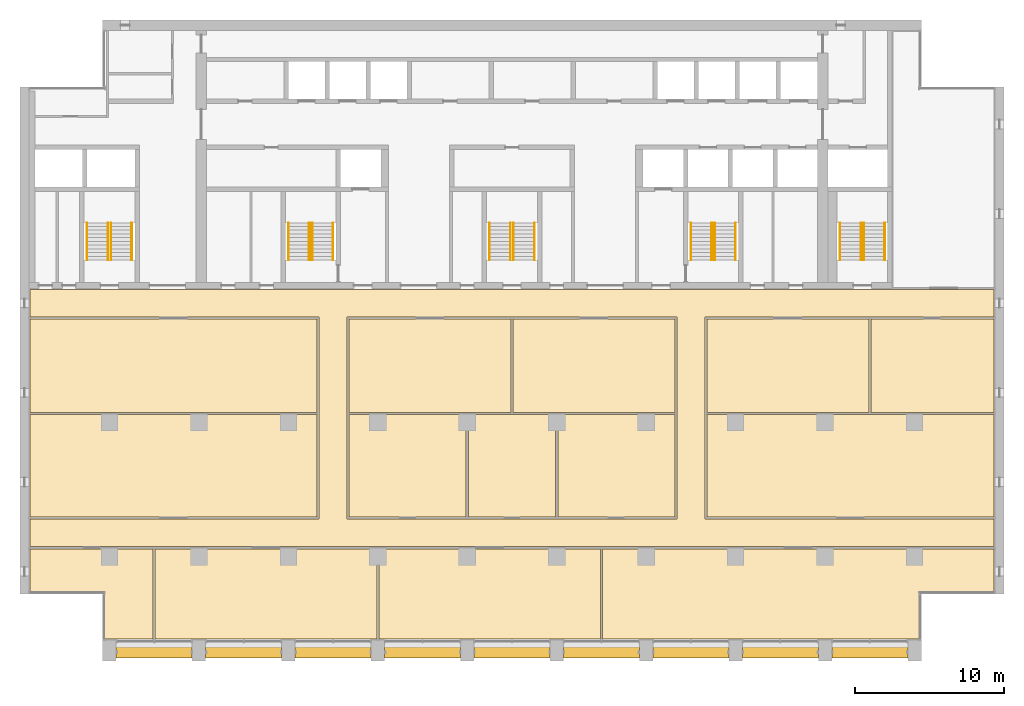
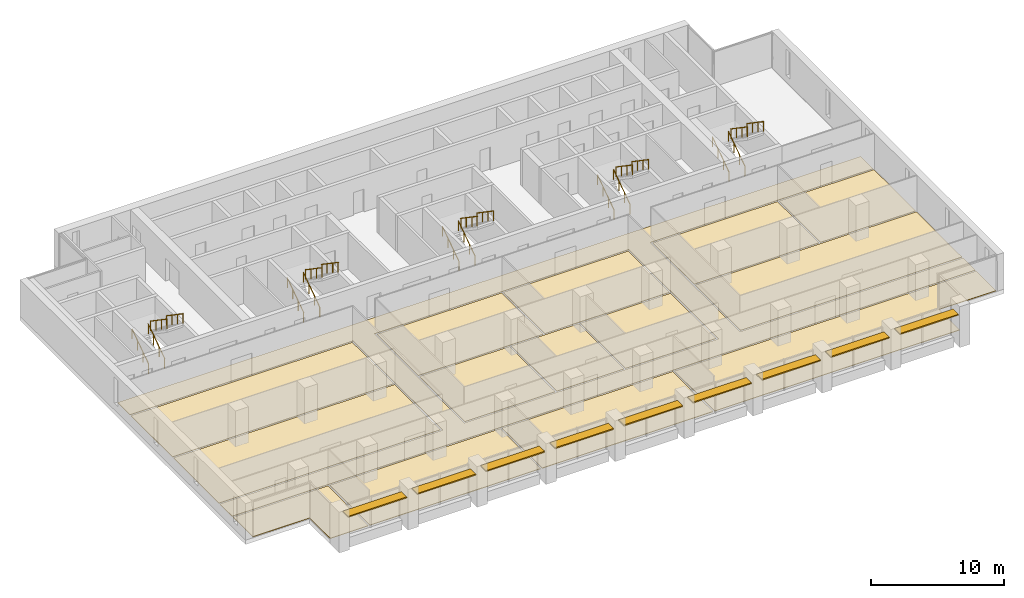
# One storey, part 16 of 17: 20 railings, 15 coverings, 9 shading devices, 5 elements without a shape of their own.
"""IFC4 building model written with IfcOpenShell, lengths in metres."""

from ifc_helpers import new_model, si_unit, direction, frame, origin, origin_2d, place, context, subcontext, project, spatial, polyline, rectangle, circle, outline, extrude, material, layer, layer_set, material_profile, profile_set, type_object, element, aggregate, save


model = new_model("IFC4")

# Units and contexts
model_context = context("Model", 3, precision=1e-05, world=origin(), true_north=direction((0.0, 1.0)))
body_context = subcontext(model_context, "Body", "Model", "MODEL_VIEW")
ifc_project = project(units=[si_unit("LENGTHUNIT", "METRE"), si_unit("AREAUNIT", "SQUARE_METRE"), si_unit("VOLUMEUNIT", "CUBIC_METRE"), si_unit("PLANEANGLEUNIT", "RADIAN"), si_unit("MASSUNIT", "GRAM", prefix="KILO")], contexts=[model_context])

# Site, building, storey
site_placement = place(None, origin())
site = spatial("IfcSite", under=ifc_project, at=site_placement, CompositionType="ELEMENT")
building_placement = place(site_placement, origin())
building = spatial("IfcBuilding", under=site, at=building_placement, Name="Calvaro Tower", CompositionType="ELEMENT")
storey_placement = place(building_placement, frame((0.0, 0.0, 185.5)))
storey = spatial("IfcBuildingStorey", under=building, at=storey_placement, Name="L46", CompositionType="ELEMENT", Elevation=185.5)

# Shading devices
ifc_material_1 = material(Name="Anodised aluminium", Category="aluminium")
ifc_material_profile = material_profile(ifc_material_1, rectangle(XDim=0.800048828125, YDim=0.10009765625, at=origin_2d()), Name="Brise-soleil blade 800 x 100")
ifc_profile_set = profile_set([ifc_material_profile], Name="Anodised aluminium")
shading_device_type = type_object("IfcShadingDeviceType", Name="Brise-soleil blade 800 x 100", PredefinedType="JALOUSIE", material=ifc_profile_set)
for number, where, z_axis, x_axis, name in (
    (1, (12.449951171875, 3.60009765625, 2.5), (1.0, 0.0, 0.0), (0.0, 1.0, 0.0), "Brise-soleil blade 1"),
    (2, (18.449951171875, 3.60009765625, 2.5), (1.0, 0.0, 0.0), (0.0, 1.0, 0.0), "Brise-soleil blade 2"),
    (3, (24.449951171875, 3.60009765625, 2.5), (1.0, 0.0, 0.0), (0.0, 1.0, 0.0), "Brise-soleil blade 3"),
    (4, (30.449951171875, 3.60009765625, 2.5), (1.0, 0.0, 0.0), (0.0, 1.0, 0.0), "Brise-soleil blade 4"),
    (5, (36.449951171875, 3.60009765625, 2.5), (1.0, 0.0, 0.0), (0.0, 1.0, 0.0), "Brise-soleil blade 5"),
    (6, (42.449951171875, 3.60009765625, 2.5), (1.0, 0.0, 0.0), (0.0, 1.0, 0.0), "Brise-soleil blade 6"),
    (7, (48.449951171875, 3.60009765625, 2.5), (1.0, 0.0, 0.0), (0.0, 1.0, 0.0), "Brise-soleil blade 7"),
    (8, (54.449951171875, 3.60009765625, 2.5), (1.0, 0.0, 0.0), (0.0, 1.0, 0.0), "Brise-soleil blade 8"),
    (9, (60.449951171875, 3.60009765625, 2.5), (1.0, 0.0, 0.0), (0.0, 1.0, 0.0), "Brise-soleil blade 9"),
):
    element("IfcShadingDevice", number, at=place(storey_placement, frame(where, z_axis=z_axis, x_axis=x_axis)), inside=storey, type_object=shading_device_type, Name=name, PredefinedType="JALOUSIE", context=body_context, shape_type="SweptSolid", body=[
        extrude(rectangle(XDim=0.800048828125, YDim=0.10009765625, at=origin_2d()), origin(), (0.0, 0.0, 1.0), 5.10009765625),
    ])

# Coverings
ifc_material_2 = material(Name="Cement screed with carpet tile finish")
ifc_layer = layer(ifc_material_2, 0.050048828125)
ifc_layer_set = layer_set([ifc_layer], Name="Cement screed with carpet tile finish")
covering_type = type_object("IfcCoveringType", Name="Floor finish 50", PredefinedType="FLOORING", material=ifc_layer_set)
covering_1_placement = place(storey_placement, origin())
element("IfcCovering", 10, at=covering_1_placement, inside=storey, type_object=covering_type, Name="Floor finish 27.01", PredefinedType="FLOORING", context=body_context, shape_type="SweptSolid", body=[
    extrude(outline(polyline([(6.669921875, 10.669921875), (6.669921875, 12.530029296875), (26.070068359375, 12.530029296875), (26.070068359375, 26.070068359375), (6.669921875, 26.070068359375), (6.669921875, 27.929931640625), (71.330078125, 27.929931640625), (71.330078125, 26.070068359375), (51.929931640625, 26.070068359375), (51.929931640625, 12.530029296875), (71.330078125, 12.530029296875), (71.330078125, 10.669921875), (6.669921875, 10.669921875)]), holes=[polyline([(50.070068359375, 12.530029296875), (50.070068359375, 26.070068359375), (27.929931640625, 26.070068359375), (27.929931640625, 12.530029296875), (50.070068359375, 12.530029296875)])]), origin(), (0.0, 0.0, 1.0), 0.050048828125),
])
covering_2_placement = place(storey_placement, origin())
element("IfcCovering", 11, at=covering_2_placement, inside=storey, type_object=covering_type, Name="Floor finish 27.05", PredefinedType="FLOORING", context=body_context, shape_type="SweptSolid", body=[
    extrude(outline(polyline([(14.929931640625, 10.530029296875), (14.929931640625, 4.469970703125), (11.6201171875, 4.469970703125), (11.6201171875, 7.570068359375), (6.669921875, 7.570068359375), (6.669921875, 10.530029296875), (14.929931640625, 10.530029296875)])), origin(), (0.0, 0.0, 1.0), 0.050048828125),
])
covering_3_placement = place(storey_placement, origin())
element("IfcCovering", 12, at=covering_3_placement, inside=storey, type_object=covering_type, Name="Floor finish 27.02", PredefinedType="FLOORING", context=body_context, shape_type="SweptSolid", body=[
    extrude(outline(polyline([(15.070068359375, 10.530029296875), (29.929931640625, 10.530029296875), (29.929931640625, 4.469970703125), (15.070068359375, 4.469970703125), (15.070068359375, 10.530029296875)])), origin(), (0.0, 0.0, 1.0), 0.050048828125),
])
covering_4_placement = place(storey_placement, origin())
element("IfcCovering", 13, at=covering_4_placement, inside=storey, type_object=covering_type, Name="Floor finish 27.03", PredefinedType="FLOORING", context=body_context, shape_type="SweptSolid", body=[
    extrude(outline(polyline([(30.070068359375, 10.530029296875), (44.929931640625, 10.530029296875), (44.929931640625, 4.469970703125), (30.070068359375, 4.469970703125), (30.070068359375, 10.530029296875)])), origin(), (0.0, 0.0, 1.0), 0.050048828125),
])
covering_5_placement = place(storey_placement, origin())
element("IfcCovering", 14, at=covering_5_placement, inside=storey, type_object=covering_type, Name="Floor finish 27.04", PredefinedType="FLOORING", context=body_context, shape_type="SweptSolid", body=[
    extrude(outline(polyline([(71.330078125, 7.570068359375), (66.3798828125, 7.570068359375), (66.3798828125, 4.469970703125), (45.070068359375, 4.469970703125), (45.070068359375, 10.530029296875), (71.330078125, 10.530029296875), (71.330078125, 7.570068359375)])), origin(), (0.0, 0.0, 1.0), 0.050048828125),
])
covering_6_placement = place(storey_placement, origin())
element("IfcCovering", 15, at=covering_6_placement, inside=storey, type_object=covering_type, Name="Floor finish 27.06", PredefinedType="FLOORING", context=body_context, shape_type="SweptSolid", body=[
    extrude(outline(polyline([(25.929931640625, 19.530029296875), (25.929931640625, 12.669921875), (6.669921875, 12.669921875), (6.669921875, 19.530029296875), (25.929931640625, 19.530029296875)])), origin(), (0.0, 0.0, 1.0), 0.050048828125),
])
covering_7_placement = place(storey_placement, origin())
element("IfcCovering", 16, at=covering_7_placement, inside=storey, type_object=covering_type, Name="Floor finish 27.11", PredefinedType="FLOORING", context=body_context, shape_type="SweptSolid", body=[
    extrude(outline(polyline([(25.929931640625, 25.929931640625), (25.929931640625, 19.669921875), (6.669921875, 19.669921875), (6.669921875, 25.929931640625), (25.929931640625, 25.929931640625)])), origin(), (0.0, 0.0, 1.0), 0.050048828125),
])
covering_8_placement = place(storey_placement, origin())
element("IfcCovering", 17, at=covering_8_placement, inside=storey, type_object=covering_type, Name="Floor finish 27.07", PredefinedType="FLOORING", context=body_context, shape_type="SweptSolid", body=[
    extrude(outline(polyline([(28.070068359375, 12.669921875), (28.070068359375, 19.530029296875), (35.929931640625, 19.530029296875), (35.929931640625, 12.669921875), (28.070068359375, 12.669921875)])), origin(), (0.0, 0.0, 1.0), 0.050048828125),
])
covering_9_placement = place(storey_placement, origin())
element("IfcCovering", 18, at=covering_9_placement, inside=storey, type_object=covering_type, Name="Floor finish 27.08", PredefinedType="FLOORING", context=body_context, shape_type="SweptSolid", body=[
    extrude(outline(polyline([(36.070068359375, 12.669921875), (36.070068359375, 19.530029296875), (41.929931640625, 19.530029296875), (41.929931640625, 12.669921875), (36.070068359375, 12.669921875)])), origin(), (0.0, 0.0, 1.0), 0.050048828125),
])
covering_10_placement = place(storey_placement, origin())
element("IfcCovering", 19, at=covering_10_placement, inside=storey, type_object=covering_type, Name="Floor finish 27.09", PredefinedType="FLOORING", context=body_context, shape_type="SweptSolid", body=[
    extrude(outline(polyline([(42.070068359375, 12.669921875), (42.070068359375, 19.530029296875), (49.929931640625, 19.530029296875), (49.929931640625, 12.669921875), (42.070068359375, 12.669921875)])), origin(), (0.0, 0.0, 1.0), 0.050048828125),
])
covering_11_placement = place(storey_placement, origin())
element("IfcCovering", 20, at=covering_11_placement, inside=storey, type_object=covering_type, Name="Floor finish 27.12", PredefinedType="FLOORING", context=body_context, shape_type="SweptSolid", body=[
    extrude(outline(polyline([(28.070068359375, 19.669921875), (28.070068359375, 25.929931640625), (38.929931640625, 25.929931640625), (38.929931640625, 19.669921875), (28.070068359375, 19.669921875)])), origin(), (0.0, 0.0, 1.0), 0.050048828125),
])
covering_12_placement = place(storey_placement, origin())
element("IfcCovering", 21, at=covering_12_placement, inside=storey, type_object=covering_type, Name="Floor finish 27.13", PredefinedType="FLOORING", context=body_context, shape_type="SweptSolid", body=[
    extrude(outline(polyline([(39.070068359375, 19.669921875), (39.070068359375, 25.929931640625), (49.929931640625, 25.929931640625), (49.929931640625, 19.669921875), (39.070068359375, 19.669921875)])), origin(), (0.0, 0.0, 1.0), 0.050048828125),
])
covering_13_placement = place(storey_placement, origin())
element("IfcCovering", 22, at=covering_13_placement, inside=storey, type_object=covering_type, Name="Floor finish 27.10", PredefinedType="FLOORING", context=body_context, shape_type="SweptSolid", body=[
    extrude(outline(polyline([(71.330078125, 12.669921875), (52.070068359375, 12.669921875), (52.070068359375, 19.530029296875), (71.330078125, 19.530029296875), (71.330078125, 12.669921875)])), origin(), (0.0, 0.0, 1.0), 0.050048828125),
])
covering_14_placement = place(storey_placement, origin())
element("IfcCovering", 23, at=covering_14_placement, inside=storey, type_object=covering_type, Name="Floor finish 27.14", PredefinedType="FLOORING", context=body_context, shape_type="SweptSolid", body=[
    extrude(outline(polyline([(52.070068359375, 19.669921875), (52.070068359375, 25.929931640625), (62.929931640625, 25.929931640625), (62.929931640625, 19.669921875), (52.070068359375, 19.669921875)])), origin(), (0.0, 0.0, 1.0), 0.050048828125),
])
covering_15_placement = place(storey_placement, origin())
element("IfcCovering", 24, at=covering_15_placement, inside=storey, type_object=covering_type, Name="Floor finish 27.15", PredefinedType="FLOORING", context=body_context, shape_type="SweptSolid", body=[
    extrude(outline(polyline([(71.330078125, 19.669921875), (63.070068359375, 19.669921875), (63.070068359375, 25.929931640625), (71.330078125, 25.929931640625), (71.330078125, 19.669921875)])), origin(), (0.0, 0.0, 1.0), 0.050048828125),
])

# Stair, railings
ifc_material_3 = material(Name="Concrete C40/50", Category="concrete")
stair_type = type_object("IfcStairType", Name="Exit stair 1400 2 flights", PredefinedType="HALF_TURN_STAIR", material=ifc_material_3)
stair_1_placement = place(storey_placement, origin())
stair_1 = element("IfcStair", 25, at=stair_1_placement, inside=storey, type_object=stair_type, Name="Exit stair S1", PredefinedType="HALF_TURN_STAIR")
ifc_material_4 = material(Name="Stainless steel", Category="steel")
railing_type = type_object("IfcRailingType", Name="Stair handrail", PredefinedType="HANDRAIL", material=ifc_material_4)
railing_1_placement = place(storey_placement, frame((11.89990234375, 29.89990234375, 0.17041015625)))
railing_1 = element("IfcRailing", 26, at=railing_1_placement, type_object=railing_type, Name="Exit stair 1 handrail", PredefinedType="HANDRAIL", context=body_context, shape_type="SweptSolid", body=[
    extrude(circle(Radius=0.02392578125, at=origin_2d()), frame((0.0, 0.0, 0.8759765625), z_axis=(0.0, 0.826220514629, 0.563346839174), x_axis=(-1.0, 0.0, 0.0)), (0.0, 0.0, 1.0), 3.02587890625),
    extrude(circle(Radius=0.02099609375, at=origin_2d()), frame((0.0, 0.017333984375, 0.01171875)), (0.0, 0.0, 1.0), 0.851806640625),
    extrude(circle(Radius=0.02099609375, at=origin_2d()), frame((0.0, 0.833251953125, 0.568115234375)), (0.0, 0.0, 1.0), 0.851806640625),
    extrude(circle(Radius=0.02099609375, at=origin_2d()), frame((0.0, 1.666748046875, 1.136474609375)), (0.0, 0.0, 1.0), 0.851806640625),
    extrude(circle(Radius=0.02099609375, at=origin_2d()), frame((0.0, 2.482666015625, 1.69287109375)), (0.0, 0.0, 1.0), 0.851806640625),
])
railing_2_placement = place(storey_placement, frame((10.5, 29.89990234375, 0.17041015625)))
railing_2 = element("IfcRailing", 27, at=railing_2_placement, type_object=railing_type, Name="Exit stair 1 handrail", PredefinedType="HANDRAIL", context=body_context, shape_type="SweptSolid", body=[
    extrude(circle(Radius=0.02392578125, at=origin_2d()), frame((0.0, 0.0, 0.8759765625), z_axis=(0.0, 0.826220514629, 0.563346839174), x_axis=(-1.0, 0.0, 0.0)), (0.0, 0.0, 1.0), 3.02587890625),
    extrude(circle(Radius=0.02099609375, at=origin_2d()), frame((0.0, 0.017333984375, 0.01171875)), (0.0, 0.0, 1.0), 0.851806640625),
    extrude(circle(Radius=0.02099609375, at=origin_2d()), frame((0.0, 0.833251953125, 0.568115234375)), (0.0, 0.0, 1.0), 0.851806640625),
    extrude(circle(Radius=0.02099609375, at=origin_2d()), frame((0.0, 1.666748046875, 1.136474609375)), (0.0, 0.0, 1.0), 0.851806640625),
    extrude(circle(Radius=0.02099609375, at=origin_2d()), frame((0.0, 2.482666015625, 1.69287109375)), (0.0, 0.0, 1.0), 0.851806640625),
])
railing_3_placement = place(storey_placement, frame((12.10009765625, 32.39990234375, 2.04541015625)))
railing_3 = element("IfcRailing", 28, at=railing_3_placement, type_object=railing_type, Name="Exit stair 1 handrail", PredefinedType="HANDRAIL", context=body_context, shape_type="SweptSolid", body=[
    extrude(circle(Radius=0.02392578125, at=origin_2d()), frame((0.0, 0.0, 0.8759765625), z_axis=(0.0, -0.826220514629, 0.563346839174), x_axis=(1.0, 0.0, 0.0)), (0.0, 0.0, 1.0), 3.02587890625),
    extrude(circle(Radius=0.02099609375, at=origin_2d()), frame((0.0, -0.017333984375, 0.01171875)), (0.0, 0.0, 1.0), 0.851806640625),
    extrude(circle(Radius=0.02099609375, at=origin_2d()), frame((0.0, -0.833251953125, 0.568115234375)), (0.0, 0.0, 1.0), 0.851806640625),
    extrude(circle(Radius=0.02099609375, at=origin_2d()), frame((0.0, -1.666748046875, 1.136474609375)), (0.0, 0.0, 1.0), 0.851806640625),
    extrude(circle(Radius=0.02099609375, at=origin_2d()), frame((0.0, -2.482666015625, 1.69287109375)), (0.0, 0.0, 1.0), 0.851806640625),
])
railing_4_placement = place(storey_placement, frame((13.5, 32.39990234375, 2.04541015625)))
railing_4 = element("IfcRailing", 29, at=railing_4_placement, type_object=railing_type, Name="Exit stair 1 handrail", PredefinedType="HANDRAIL", context=body_context, shape_type="SweptSolid", body=[
    extrude(circle(Radius=0.02392578125, at=origin_2d()), frame((0.0, 0.0, 0.8759765625), z_axis=(0.0, -0.826220514629, 0.563346839174), x_axis=(1.0, 0.0, 0.0)), (0.0, 0.0, 1.0), 3.02587890625),
    extrude(circle(Radius=0.02099609375, at=origin_2d()), frame((0.0, -0.017333984375, 0.01171875)), (0.0, 0.0, 1.0), 0.851806640625),
    extrude(circle(Radius=0.02099609375, at=origin_2d()), frame((0.0, -0.833251953125, 0.568115234375)), (0.0, 0.0, 1.0), 0.851806640625),
    extrude(circle(Radius=0.02099609375, at=origin_2d()), frame((0.0, -1.666748046875, 1.136474609375)), (0.0, 0.0, 1.0), 0.851806640625),
    extrude(circle(Radius=0.02099609375, at=origin_2d()), frame((0.0, -2.482666015625, 1.69287109375)), (0.0, 0.0, 1.0), 0.851806640625),
])
aggregate(stair_1, [railing_1, railing_2, railing_3, railing_4])

stair_2_placement = place(storey_placement, origin())
stair_2 = element("IfcStair", 30, at=stair_2_placement, inside=storey, type_object=stair_type, Name="Exit stair S2", PredefinedType="HALF_TURN_STAIR")
railing_5_placement = place(storey_placement, frame((25.39990234375, 29.89990234375, 0.17041015625)))
railing_5 = element("IfcRailing", 31, at=railing_5_placement, type_object=railing_type, Name="Exit stair 2 handrail", PredefinedType="HANDRAIL", context=body_context, shape_type="SweptSolid", body=[
    extrude(circle(Radius=0.02392578125, at=origin_2d()), frame((0.0, 0.0, 0.8759765625), z_axis=(0.0, 0.826220514629, 0.563346839174), x_axis=(-1.0, 0.0, 0.0)), (0.0, 0.0, 1.0), 3.02587890625),
    extrude(circle(Radius=0.02099609375, at=origin_2d()), frame((0.0, 0.017333984375, 0.01171875)), (0.0, 0.0, 1.0), 0.851806640625),
    extrude(circle(Radius=0.02099609375, at=origin_2d()), frame((0.0, 0.833251953125, 0.568115234375)), (0.0, 0.0, 1.0), 0.851806640625),
    extrude(circle(Radius=0.02099609375, at=origin_2d()), frame((0.0, 1.666748046875, 1.136474609375)), (0.0, 0.0, 1.0), 0.851806640625),
    extrude(circle(Radius=0.02099609375, at=origin_2d()), frame((0.0, 2.482666015625, 1.69287109375)), (0.0, 0.0, 1.0), 0.851806640625),
])
railing_6_placement = place(storey_placement, frame((24.0, 29.89990234375, 0.17041015625)))
railing_6 = element("IfcRailing", 32, at=railing_6_placement, type_object=railing_type, Name="Exit stair 2 handrail", PredefinedType="HANDRAIL", context=body_context, shape_type="SweptSolid", body=[
    extrude(circle(Radius=0.02392578125, at=origin_2d()), frame((0.0, 0.0, 0.8759765625), z_axis=(0.0, 0.826220514629, 0.563346839174), x_axis=(-1.0, 0.0, 0.0)), (0.0, 0.0, 1.0), 3.02587890625),
    extrude(circle(Radius=0.02099609375, at=origin_2d()), frame((0.0, 0.017333984375, 0.01171875)), (0.0, 0.0, 1.0), 0.851806640625),
    extrude(circle(Radius=0.02099609375, at=origin_2d()), frame((0.0, 0.833251953125, 0.568115234375)), (0.0, 0.0, 1.0), 0.851806640625),
    extrude(circle(Radius=0.02099609375, at=origin_2d()), frame((0.0, 1.666748046875, 1.136474609375)), (0.0, 0.0, 1.0), 0.851806640625),
    extrude(circle(Radius=0.02099609375, at=origin_2d()), frame((0.0, 2.482666015625, 1.69287109375)), (0.0, 0.0, 1.0), 0.851806640625),
])
railing_7_placement = place(storey_placement, frame((25.60009765625, 32.39990234375, 2.04541015625)))
railing_7 = element("IfcRailing", 33, at=railing_7_placement, type_object=railing_type, Name="Exit stair 2 handrail", PredefinedType="HANDRAIL", context=body_context, shape_type="SweptSolid", body=[
    extrude(circle(Radius=0.02392578125, at=origin_2d()), frame((0.0, 0.0, 0.8759765625), z_axis=(0.0, -0.826220514629, 0.563346839174), x_axis=(1.0, 0.0, 0.0)), (0.0, 0.0, 1.0), 3.02587890625),
    extrude(circle(Radius=0.02099609375, at=origin_2d()), frame((0.0, -0.017333984375, 0.01171875)), (0.0, 0.0, 1.0), 0.851806640625),
    extrude(circle(Radius=0.02099609375, at=origin_2d()), frame((0.0, -0.833251953125, 0.568115234375)), (0.0, 0.0, 1.0), 0.851806640625),
    extrude(circle(Radius=0.02099609375, at=origin_2d()), frame((0.0, -1.666748046875, 1.136474609375)), (0.0, 0.0, 1.0), 0.851806640625),
    extrude(circle(Radius=0.02099609375, at=origin_2d()), frame((0.0, -2.482666015625, 1.69287109375)), (0.0, 0.0, 1.0), 0.851806640625),
])
railing_8_placement = place(storey_placement, frame((27.0, 32.39990234375, 2.04541015625)))
railing_8 = element("IfcRailing", 34, at=railing_8_placement, type_object=railing_type, Name="Exit stair 2 handrail", PredefinedType="HANDRAIL", context=body_context, shape_type="SweptSolid", body=[
    extrude(circle(Radius=0.02392578125, at=origin_2d()), frame((0.0, 0.0, 0.8759765625), z_axis=(0.0, -0.826220514629, 0.563346839174), x_axis=(1.0, 0.0, 0.0)), (0.0, 0.0, 1.0), 3.02587890625),
    extrude(circle(Radius=0.02099609375, at=origin_2d()), frame((0.0, -0.017333984375, 0.01171875)), (0.0, 0.0, 1.0), 0.851806640625),
    extrude(circle(Radius=0.02099609375, at=origin_2d()), frame((0.0, -0.833251953125, 0.568115234375)), (0.0, 0.0, 1.0), 0.851806640625),
    extrude(circle(Radius=0.02099609375, at=origin_2d()), frame((0.0, -1.666748046875, 1.136474609375)), (0.0, 0.0, 1.0), 0.851806640625),
    extrude(circle(Radius=0.02099609375, at=origin_2d()), frame((0.0, -2.482666015625, 1.69287109375)), (0.0, 0.0, 1.0), 0.851806640625),
])
aggregate(stair_2, [railing_5, railing_6, railing_7, railing_8])

stair_3_placement = place(storey_placement, origin())
stair_3 = element("IfcStair", 35, at=stair_3_placement, inside=storey, type_object=stair_type, Name="Exit stair S3", PredefinedType="HALF_TURN_STAIR")
railing_9_placement = place(storey_placement, frame((38.89990234375, 29.89990234375, 0.17041015625)))
railing_9 = element("IfcRailing", 36, at=railing_9_placement, type_object=railing_type, Name="Exit stair 3 handrail", PredefinedType="HANDRAIL", context=body_context, shape_type="SweptSolid", body=[
    extrude(circle(Radius=0.02392578125, at=origin_2d()), frame((0.0, 0.0, 0.8759765625), z_axis=(0.0, 0.826220514629, 0.563346839174), x_axis=(-1.0, 0.0, 0.0)), (0.0, 0.0, 1.0), 3.02587890625),
    extrude(circle(Radius=0.02099609375, at=origin_2d()), frame((0.0, 0.017333984375, 0.01171875)), (0.0, 0.0, 1.0), 0.851806640625),
    extrude(circle(Radius=0.02099609375, at=origin_2d()), frame((0.0, 0.833251953125, 0.568115234375)), (0.0, 0.0, 1.0), 0.851806640625),
    extrude(circle(Radius=0.02099609375, at=origin_2d()), frame((0.0, 1.666748046875, 1.136474609375)), (0.0, 0.0, 1.0), 0.851806640625),
    extrude(circle(Radius=0.02099609375, at=origin_2d()), frame((0.0, 2.482666015625, 1.69287109375)), (0.0, 0.0, 1.0), 0.851806640625),
])
railing_10_placement = place(storey_placement, frame((37.5, 29.89990234375, 0.17041015625)))
railing_10 = element("IfcRailing", 37, at=railing_10_placement, type_object=railing_type, Name="Exit stair 3 handrail", PredefinedType="HANDRAIL", context=body_context, shape_type="SweptSolid", body=[
    extrude(circle(Radius=0.02392578125, at=origin_2d()), frame((0.0, 0.0, 0.8759765625), z_axis=(0.0, 0.826220514629, 0.563346839174), x_axis=(-1.0, 0.0, 0.0)), (0.0, 0.0, 1.0), 3.02587890625),
    extrude(circle(Radius=0.02099609375, at=origin_2d()), frame((0.0, 0.017333984375, 0.01171875)), (0.0, 0.0, 1.0), 0.851806640625),
    extrude(circle(Radius=0.02099609375, at=origin_2d()), frame((0.0, 0.833251953125, 0.568115234375)), (0.0, 0.0, 1.0), 0.851806640625),
    extrude(circle(Radius=0.02099609375, at=origin_2d()), frame((0.0, 1.666748046875, 1.136474609375)), (0.0, 0.0, 1.0), 0.851806640625),
    extrude(circle(Radius=0.02099609375, at=origin_2d()), frame((0.0, 2.482666015625, 1.69287109375)), (0.0, 0.0, 1.0), 0.851806640625),
])
railing_11_placement = place(storey_placement, frame((39.10009765625, 32.39990234375, 2.04541015625)))
railing_11 = element("IfcRailing", 38, at=railing_11_placement, type_object=railing_type, Name="Exit stair 3 handrail", PredefinedType="HANDRAIL", context=body_context, shape_type="SweptSolid", body=[
    extrude(circle(Radius=0.02392578125, at=origin_2d()), frame((0.0, 0.0, 0.8759765625), z_axis=(0.0, -0.826220514629, 0.563346839174), x_axis=(1.0, 0.0, 0.0)), (0.0, 0.0, 1.0), 3.02587890625),
    extrude(circle(Radius=0.02099609375, at=origin_2d()), frame((0.0, -0.017333984375, 0.01171875)), (0.0, 0.0, 1.0), 0.851806640625),
    extrude(circle(Radius=0.02099609375, at=origin_2d()), frame((0.0, -0.833251953125, 0.568115234375)), (0.0, 0.0, 1.0), 0.851806640625),
    extrude(circle(Radius=0.02099609375, at=origin_2d()), frame((0.0, -1.666748046875, 1.136474609375)), (0.0, 0.0, 1.0), 0.851806640625),
    extrude(circle(Radius=0.02099609375, at=origin_2d()), frame((0.0, -2.482666015625, 1.69287109375)), (0.0, 0.0, 1.0), 0.851806640625),
])
railing_12_placement = place(storey_placement, frame((40.5, 32.39990234375, 2.04541015625)))
railing_12 = element("IfcRailing", 39, at=railing_12_placement, type_object=railing_type, Name="Exit stair 3 handrail", PredefinedType="HANDRAIL", context=body_context, shape_type="SweptSolid", body=[
    extrude(circle(Radius=0.02392578125, at=origin_2d()), frame((0.0, 0.0, 0.8759765625), z_axis=(0.0, -0.826220514629, 0.563346839174), x_axis=(1.0, 0.0, 0.0)), (0.0, 0.0, 1.0), 3.02587890625),
    extrude(circle(Radius=0.02099609375, at=origin_2d()), frame((0.0, -0.017333984375, 0.01171875)), (0.0, 0.0, 1.0), 0.851806640625),
    extrude(circle(Radius=0.02099609375, at=origin_2d()), frame((0.0, -0.833251953125, 0.568115234375)), (0.0, 0.0, 1.0), 0.851806640625),
    extrude(circle(Radius=0.02099609375, at=origin_2d()), frame((0.0, -1.666748046875, 1.136474609375)), (0.0, 0.0, 1.0), 0.851806640625),
    extrude(circle(Radius=0.02099609375, at=origin_2d()), frame((0.0, -2.482666015625, 1.69287109375)), (0.0, 0.0, 1.0), 0.851806640625),
])
aggregate(stair_3, [railing_9, railing_10, railing_11, railing_12])

stair_4_placement = place(storey_placement, origin())
stair_4 = element("IfcStair", 40, at=stair_4_placement, inside=storey, type_object=stair_type, Name="Exit stair S4", PredefinedType="HALF_TURN_STAIR")
railing_13_placement = place(storey_placement, frame((52.39990234375, 29.89990234375, 0.17041015625)))
railing_13 = element("IfcRailing", 41, at=railing_13_placement, type_object=railing_type, Name="Exit stair 4 handrail", PredefinedType="HANDRAIL", context=body_context, shape_type="SweptSolid", body=[
    extrude(circle(Radius=0.02392578125, at=origin_2d()), frame((0.0, 0.0, 0.8759765625), z_axis=(0.0, 0.826220514629, 0.563346839174), x_axis=(-1.0, 0.0, 0.0)), (0.0, 0.0, 1.0), 3.02587890625),
    extrude(circle(Radius=0.02099609375, at=origin_2d()), frame((0.0, 0.017333984375, 0.01171875)), (0.0, 0.0, 1.0), 0.851806640625),
    extrude(circle(Radius=0.02099609375, at=origin_2d()), frame((0.0, 0.833251953125, 0.568115234375)), (0.0, 0.0, 1.0), 0.851806640625),
    extrude(circle(Radius=0.02099609375, at=origin_2d()), frame((0.0, 1.666748046875, 1.136474609375)), (0.0, 0.0, 1.0), 0.851806640625),
    extrude(circle(Radius=0.02099609375, at=origin_2d()), frame((0.0, 2.482666015625, 1.69287109375)), (0.0, 0.0, 1.0), 0.851806640625),
])
railing_14_placement = place(storey_placement, frame((51.0, 29.89990234375, 0.17041015625)))
railing_14 = element("IfcRailing", 42, at=railing_14_placement, type_object=railing_type, Name="Exit stair 4 handrail", PredefinedType="HANDRAIL", context=body_context, shape_type="SweptSolid", body=[
    extrude(circle(Radius=0.02392578125, at=origin_2d()), frame((0.0, 0.0, 0.8759765625), z_axis=(0.0, 0.826220514629, 0.563346839174), x_axis=(-1.0, 0.0, 0.0)), (0.0, 0.0, 1.0), 3.02587890625),
    extrude(circle(Radius=0.02099609375, at=origin_2d()), frame((0.0, 0.017333984375, 0.01171875)), (0.0, 0.0, 1.0), 0.851806640625),
    extrude(circle(Radius=0.02099609375, at=origin_2d()), frame((0.0, 0.833251953125, 0.568115234375)), (0.0, 0.0, 1.0), 0.851806640625),
    extrude(circle(Radius=0.02099609375, at=origin_2d()), frame((0.0, 1.666748046875, 1.136474609375)), (0.0, 0.0, 1.0), 0.851806640625),
    extrude(circle(Radius=0.02099609375, at=origin_2d()), frame((0.0, 2.482666015625, 1.69287109375)), (0.0, 0.0, 1.0), 0.851806640625),
])
railing_15_placement = place(storey_placement, frame((52.60009765625, 32.39990234375, 2.04541015625)))
railing_15 = element("IfcRailing", 43, at=railing_15_placement, type_object=railing_type, Name="Exit stair 4 handrail", PredefinedType="HANDRAIL", context=body_context, shape_type="SweptSolid", body=[
    extrude(circle(Radius=0.02392578125, at=origin_2d()), frame((0.0, 0.0, 0.8759765625), z_axis=(0.0, -0.826220514629, 0.563346839174), x_axis=(1.0, 0.0, 0.0)), (0.0, 0.0, 1.0), 3.02587890625),
    extrude(circle(Radius=0.02099609375, at=origin_2d()), frame((0.0, -0.017333984375, 0.01171875)), (0.0, 0.0, 1.0), 0.851806640625),
    extrude(circle(Radius=0.02099609375, at=origin_2d()), frame((0.0, -0.833251953125, 0.568115234375)), (0.0, 0.0, 1.0), 0.851806640625),
    extrude(circle(Radius=0.02099609375, at=origin_2d()), frame((0.0, -1.666748046875, 1.136474609375)), (0.0, 0.0, 1.0), 0.851806640625),
    extrude(circle(Radius=0.02099609375, at=origin_2d()), frame((0.0, -2.482666015625, 1.69287109375)), (0.0, 0.0, 1.0), 0.851806640625),
])
railing_16_placement = place(storey_placement, frame((54.0, 32.39990234375, 2.04541015625)))
railing_16 = element("IfcRailing", 44, at=railing_16_placement, type_object=railing_type, Name="Exit stair 4 handrail", PredefinedType="HANDRAIL", context=body_context, shape_type="SweptSolid", body=[
    extrude(circle(Radius=0.02392578125, at=origin_2d()), frame((0.0, 0.0, 0.8759765625), z_axis=(0.0, -0.826220514629, 0.563346839174), x_axis=(1.0, 0.0, 0.0)), (0.0, 0.0, 1.0), 3.02587890625),
    extrude(circle(Radius=0.02099609375, at=origin_2d()), frame((0.0, -0.017333984375, 0.01171875)), (0.0, 0.0, 1.0), 0.851806640625),
    extrude(circle(Radius=0.02099609375, at=origin_2d()), frame((0.0, -0.833251953125, 0.568115234375)), (0.0, 0.0, 1.0), 0.851806640625),
    extrude(circle(Radius=0.02099609375, at=origin_2d()), frame((0.0, -1.666748046875, 1.136474609375)), (0.0, 0.0, 1.0), 0.851806640625),
    extrude(circle(Radius=0.02099609375, at=origin_2d()), frame((0.0, -2.482666015625, 1.69287109375)), (0.0, 0.0, 1.0), 0.851806640625),
])
aggregate(stair_4, [railing_13, railing_14, railing_15, railing_16])

stair_5_placement = place(storey_placement, origin())
stair_5 = element("IfcStair", 45, at=stair_5_placement, inside=storey, type_object=stair_type, Name="Exit stair S5", PredefinedType="HALF_TURN_STAIR")
railing_17_placement = place(storey_placement, frame((62.39990234375, 29.89990234375, 0.17041015625)))
railing_17 = element("IfcRailing", 46, at=railing_17_placement, type_object=railing_type, Name="Exit stair 5 handrail", PredefinedType="HANDRAIL", context=body_context, shape_type="SweptSolid", body=[
    extrude(circle(Radius=0.02392578125, at=origin_2d()), frame((0.0, 0.0, 0.8759765625), z_axis=(0.0, 0.826220514629, 0.563346839174), x_axis=(-1.0, 0.0, 0.0)), (0.0, 0.0, 1.0), 3.02587890625),
    extrude(circle(Radius=0.02099609375, at=origin_2d()), frame((0.0, 0.017333984375, 0.01171875)), (0.0, 0.0, 1.0), 0.851806640625),
    extrude(circle(Radius=0.02099609375, at=origin_2d()), frame((0.0, 0.833251953125, 0.568115234375)), (0.0, 0.0, 1.0), 0.851806640625),
    extrude(circle(Radius=0.02099609375, at=origin_2d()), frame((0.0, 1.666748046875, 1.136474609375)), (0.0, 0.0, 1.0), 0.851806640625),
    extrude(circle(Radius=0.02099609375, at=origin_2d()), frame((0.0, 2.482666015625, 1.69287109375)), (0.0, 0.0, 1.0), 0.851806640625),
])
railing_18_placement = place(storey_placement, frame((61.0, 29.89990234375, 0.17041015625)))
railing_18 = element("IfcRailing", 47, at=railing_18_placement, type_object=railing_type, Name="Exit stair 5 handrail", PredefinedType="HANDRAIL", context=body_context, shape_type="SweptSolid", body=[
    extrude(circle(Radius=0.02392578125, at=origin_2d()), frame((0.0, 0.0, 0.8759765625), z_axis=(0.0, 0.826220514629, 0.563346839174), x_axis=(-1.0, 0.0, 0.0)), (0.0, 0.0, 1.0), 3.02587890625),
    extrude(circle(Radius=0.02099609375, at=origin_2d()), frame((0.0, 0.017333984375, 0.01171875)), (0.0, 0.0, 1.0), 0.851806640625),
    extrude(circle(Radius=0.02099609375, at=origin_2d()), frame((0.0, 0.833251953125, 0.568115234375)), (0.0, 0.0, 1.0), 0.851806640625),
    extrude(circle(Radius=0.02099609375, at=origin_2d()), frame((0.0, 1.666748046875, 1.136474609375)), (0.0, 0.0, 1.0), 0.851806640625),
    extrude(circle(Radius=0.02099609375, at=origin_2d()), frame((0.0, 2.482666015625, 1.69287109375)), (0.0, 0.0, 1.0), 0.851806640625),
])
railing_19_placement = place(storey_placement, frame((62.60009765625, 32.39990234375, 2.04541015625)))
railing_19 = element("IfcRailing", 48, at=railing_19_placement, type_object=railing_type, Name="Exit stair 5 handrail", PredefinedType="HANDRAIL", context=body_context, shape_type="SweptSolid", body=[
    extrude(circle(Radius=0.02392578125, at=origin_2d()), frame((0.0, 0.0, 0.8759765625), z_axis=(0.0, -0.826220514629, 0.563346839174), x_axis=(1.0, 0.0, 0.0)), (0.0, 0.0, 1.0), 3.02587890625),
    extrude(circle(Radius=0.02099609375, at=origin_2d()), frame((0.0, -0.017333984375, 0.01171875)), (0.0, 0.0, 1.0), 0.851806640625),
    extrude(circle(Radius=0.02099609375, at=origin_2d()), frame((0.0, -0.833251953125, 0.568115234375)), (0.0, 0.0, 1.0), 0.851806640625),
    extrude(circle(Radius=0.02099609375, at=origin_2d()), frame((0.0, -1.666748046875, 1.136474609375)), (0.0, 0.0, 1.0), 0.851806640625),
    extrude(circle(Radius=0.02099609375, at=origin_2d()), frame((0.0, -2.482666015625, 1.69287109375)), (0.0, 0.0, 1.0), 0.851806640625),
])
railing_20_placement = place(storey_placement, frame((64.0, 32.39990234375, 2.04541015625)))
railing_20 = element("IfcRailing", 49, at=railing_20_placement, type_object=railing_type, Name="Exit stair 5 handrail", PredefinedType="HANDRAIL", context=body_context, shape_type="SweptSolid", body=[
    extrude(circle(Radius=0.02392578125, at=origin_2d()), frame((0.0, 0.0, 0.8759765625), z_axis=(0.0, -0.826220514629, 0.563346839174), x_axis=(1.0, 0.0, 0.0)), (0.0, 0.0, 1.0), 3.02587890625),
    extrude(circle(Radius=0.02099609375, at=origin_2d()), frame((0.0, -0.017333984375, 0.01171875)), (0.0, 0.0, 1.0), 0.851806640625),
    extrude(circle(Radius=0.02099609375, at=origin_2d()), frame((0.0, -0.833251953125, 0.568115234375)), (0.0, 0.0, 1.0), 0.851806640625),
    extrude(circle(Radius=0.02099609375, at=origin_2d()), frame((0.0, -1.666748046875, 1.136474609375)), (0.0, 0.0, 1.0), 0.851806640625),
    extrude(circle(Radius=0.02099609375, at=origin_2d()), frame((0.0, -2.482666015625, 1.69287109375)), (0.0, 0.0, 1.0), 0.851806640625),
])
aggregate(stair_5, [railing_17, railing_18, railing_19, railing_20])

save(model, "model.ifc")
